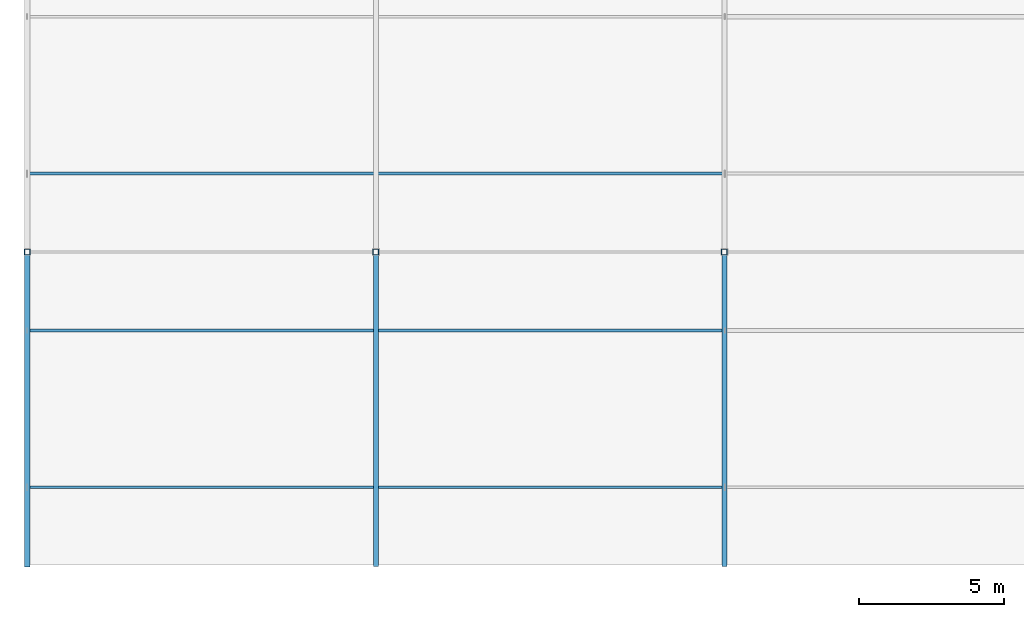
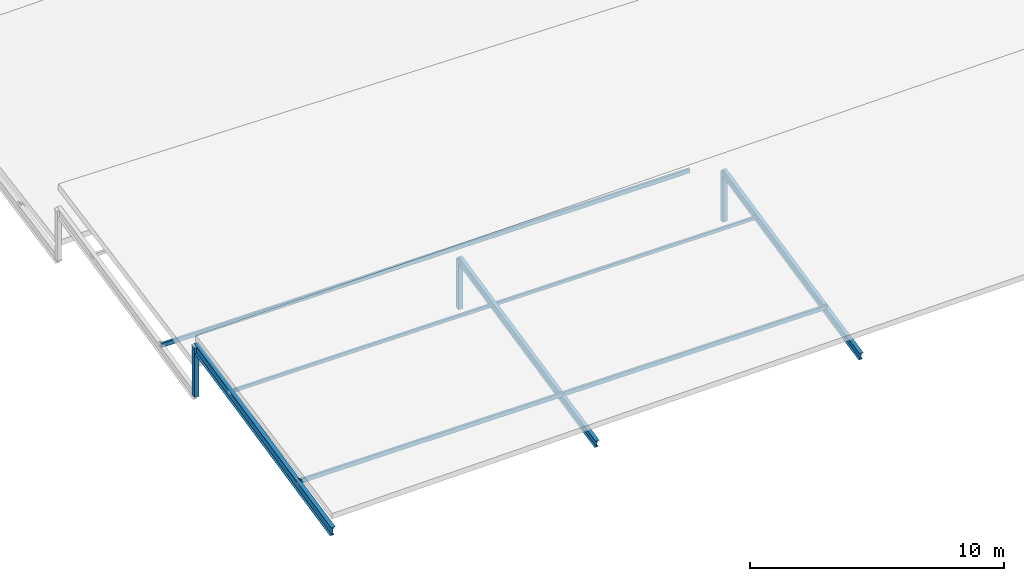
# One storey, part 62 of 226: 9 members.
"""IFC4 building model written with IfcOpenShell, lengths in metres."""

import ifcopenshell
import ifcopenshell.guid

model = None  # the IFC model being written
_history = None  # IfcOwnerHistory: only IFC2X3 demands one
_inside = {}  # id of a spatial element -> (the spatial element, [elements in it])
_under = {}  # id of a project, library or spatial element -> (it, [spatial elements below it])
_declared = {}  # id of a project -> (the project, [libraries it declares])
_typed = {}  # id of a type object -> (the type object, [elements of that type])
_made_of = {}  # id of a material, layer set ... -> (it, [elements and type objects made of it])


def new_model(schema):
    """Start an empty IFC model of exactly this schema.

    Asked for "IFC4X3", IfcOpenShell would pick the latest addendum, in which some entities
    have other attributes; the version numbers below select the first issue.
    IFC2X3 requires an IfcOwnerHistory on every rooted entity: one is made here for all.
    """
    global model, _history
    if schema == "IFC4X3":
        model = ifcopenshell.file(schema_version=(4, 3, 0, 0))
    else:
        model = ifcopenshell.file(schema=schema)
    _inside.clear()
    _under.clear()
    _declared.clear()
    _typed.clear()
    _made_of.clear()
    _history = None
    if model.schema == "IFC2X3":
        org = make("IfcOrganization", Name="unknown")
        user = make(
            "IfcPersonAndOrganization",
            ThePerson=make("IfcPerson", FamilyName="unknown"),
            TheOrganization=org,
        )
        app = make(
            "IfcApplication",
            ApplicationDeveloper=org,
            Version="unknown",
            ApplicationFullName="unknown",
            ApplicationIdentifier="unknown",
        )
        _history = make(
            "IfcOwnerHistory",
            OwningUser=user,
            OwningApplication=app,
            ChangeAction="ADDED",
            CreationDate=0,
        )
    return model


def make(cls, **values):
    """One entity of the class cls with the attributes given. An attribute that is None is left unset."""
    return model.create_entity(
        cls, **{name: value for name, value in values.items() if value is not None}
    )


def rooted(cls, **values):
    """An entity with a GlobalId (a new one), such as an element, a storey or a relation."""
    return make(cls, GlobalId=ifcopenshell.guid.new(), OwnerHistory=_history, **values)


def si_unit(unit_type, name, prefix=None):
    """IfcSIUnit, for example si_unit("LENGTHUNIT", "METRE", prefix="MILLI")."""
    return make("IfcSIUnit", UnitType=unit_type, Prefix=prefix, Name=name)


def assignment(units):
    """IfcUnitAssignment: the units of a project."""
    return None if units is None else make("IfcUnitAssignment", Units=units)


def point(xyz):
    """IfcCartesianPoint."""
    return None if xyz is None else make("IfcCartesianPoint", Coordinates=xyz)


def direction(xyz):
    """IfcDirection."""
    return None if xyz is None else make("IfcDirection", DirectionRatios=xyz)


def frame(location, z_axis=None, x_axis=None):
    """IfcAxis2Placement3D, a coordinate frame: its origin and axes. An axis left out is left unset."""
    return make(
        "IfcAxis2Placement3D",
        Location=point(location),
        Axis=direction(z_axis),
        RefDirection=direction(x_axis),
    )


def frame_2d(location, x_axis=None):
    """IfcAxis2Placement2D, a coordinate frame in the plane: its origin and x axis."""
    return make(
        "IfcAxis2Placement2D", Location=point(location), RefDirection=direction(x_axis)
    )


def origin():
    """The frame at (0, 0, 0) with its axes left unset."""
    return frame((0.0, 0.0, 0.0))


def origin_2d():
    """The frame at (0, 0) in the plane with its x axis left unset."""
    return frame_2d((0.0, 0.0))


def place(relative_to, where):
    """IfcLocalPlacement: puts the frame where relative to a parent placement (None: the world)."""
    return make(
        "IfcLocalPlacement", PlacementRelTo=relative_to, RelativePlacement=where
    )


def context(
    kind, dimensions, precision=None, world=None, true_north=None, identifier=None
):
    """IfcGeometricRepresentationContext, for example the 3D "Model" context."""
    return make(
        "IfcGeometricRepresentationContext",
        ContextIdentifier=identifier,
        ContextType=kind,
        CoordinateSpaceDimension=dimensions,
        Precision=precision,
        WorldCoordinateSystem=world,
        TrueNorth=true_north,
    )


def subcontext(parent, identifier, kind, view, scale=None):
    """IfcGeometricRepresentationSubContext, for example "Body" below "Model"."""
    return make(
        "IfcGeometricRepresentationSubContext",
        ContextIdentifier=identifier,
        ContextType=kind,
        ParentContext=parent,
        TargetScale=scale,
        TargetView=view,
    )


def project(units=None, contexts=None):
    """IfcProject with its units and contexts."""
    return rooted(
        "IfcProject",
        Name="project",
        RepresentationContexts=contexts,
        UnitsInContext=assignment(units),
    )


def spatial(cls, under=None, at=None, **own):
    """A site, building, storey or space (cls), placed at a placement, below another one or the project."""
    s = rooted(cls, ObjectPlacement=at, **own)
    if under is not None:
        _under.setdefault(under.id(), (under, []))[1].append(s)
    return s


def profile(cls, at=None, kind="AREA", **sizes):
    """A parametric profile (cls). Its sizes go by their IFC names, for example OverallWidth=200.0."""
    return make(cls, ProfileType=kind, Position=at, **sizes)


def hollow_rectangle(**sizes):
    """IfcRectangleHollowProfileDef."""
    return profile("IfcRectangleHollowProfileDef", **sizes)


def i_section(**sizes):
    """IfcIShapeProfileDef."""
    return profile("IfcIShapeProfileDef", **sizes)


def extrude(swept, where, along, depth):
    """IfcExtrudedAreaSolid: the profile swept, set in the frame where, extruded along a direction by depth."""
    return make(
        "IfcExtrudedAreaSolid",
        SweptArea=swept,
        Position=where,
        ExtrudedDirection=direction(along),
        Depth=depth,
    )


def shape(context_of_items, identifier, shape_type, items):
    """IfcShapeRepresentation: the items that make up one representation, for example the "Body"."""
    return make(
        "IfcShapeRepresentation",
        ContextOfItems=context_of_items,
        RepresentationIdentifier=identifier,
        RepresentationType=shape_type,
        Items=items,
    )


def material(Name=None, Category=None):
    """IfcMaterial."""
    return make("IfcMaterial", Name=Name, Category=Category)


def material_profile(
    of_material, cross_section, Name=None, Category=None, Priority=None
):
    """IfcMaterialProfile: a cross section and its material."""
    return make(
        "IfcMaterialProfile",
        Name=Name,
        Material=of_material,
        Profile=cross_section,
        Priority=Priority,
        Category=Category,
    )


def profile_set(profiles, Name=None, composite=None):
    """IfcMaterialProfileSet."""
    return make(
        "IfcMaterialProfileSet",
        Name=Name,
        MaterialProfiles=profiles,
        CompositeProfile=composite,
    )


def made_of(thing, what):
    """Note that an element or type object is made of a material, layer set ...; save() writes the relation."""
    if what is not None:
        _made_of.setdefault(what.id(), (what, []))[1].append(thing)
    return thing


def type_object(cls, material=None, **own):
    """A type object (cls), such as IfcWallType, which elements share."""
    return made_of(rooted(cls, **own), material)


def element(
    cls,
    number,
    at=None,
    inside=None,
    cuts=None,
    type_object=None,
    material=None,
    context=None,
    identifier="Body",
    shape_type=None,
    held_by="IfcProductDefinitionShape",
    body=None,
    shapes=None,
    **own,
):
    """One element of the class cls, such as IfcWall. Its Tag is "e" and its number.

    at: its placement. inside: the storey or other place that contains it. cuts: it is an
    opening in that element (IfcRelVoidsElement). A single representation is given by context,
    identifier, shape_type and body (its items); several are given by shapes. held_by: the class
    of the entity that holds the representations. save() writes the other relations.
    """
    e = rooted(cls, Tag="e%d" % number, ObjectPlacement=at, **own)
    if body is not None:
        shapes = [shape(context, identifier, shape_type, body)]
    if shapes is not None:
        e.Representation = make(held_by, Representations=shapes)
    if inside is not None:
        _inside.setdefault(inside.id(), (inside, []))[1].append(e)
    if cuts is not None:
        rooted(
            "IfcRelVoidsElement", RelatingBuildingElement=cuts, RelatedOpeningElement=e
        )
    if type_object is not None:
        _typed.setdefault(type_object.id(), (type_object, []))[1].append(e)
    return made_of(e, material)


def aggregate(whole, parts):
    """IfcRelAggregates: a whole, such as a stair, and the parts it consists of."""
    return rooted("IfcRelAggregates", RelatingObject=whole, RelatedObjects=parts)


def save(model, path):
    """Write the relations noted so far, then the file.

    IfcRelAggregates (storeys below a building ...), IfcRelContainedInSpatialStructure (elements
    in a storey), IfcRelDefinesByType, IfcRelAssociatesMaterial and IfcRelDeclares: one each for
    every whole, place, type object, material and project.
    """
    for whole, parts in _under.values():
        aggregate(whole, parts)
    for where, things in _inside.values():
        rooted(
            "IfcRelContainedInSpatialStructure",
            RelatedElements=things,
            RelatingStructure=where,
        )
    for kind, things in _typed.values():
        rooted("IfcRelDefinesByType", RelatedObjects=things, RelatingType=kind)
    for what, things in _made_of.values():
        rooted("IfcRelAssociatesMaterial", RelatedObjects=things, RelatingMaterial=what)
    for by, libraries in _declared.values():
        rooted("IfcRelDeclares", RelatingContext=by, RelatedDefinitions=libraries)
    model.write(path)


model = new_model("IFC4")

# Units and contexts
model_context = context("Model", 3, precision=1e-05, world=origin(), true_north=direction((0.0, 1.0)))
body_context = subcontext(model_context, "Body", "Model", "MODEL_VIEW")
ifc_project = project(units=[si_unit("LENGTHUNIT", "METRE"), si_unit("AREAUNIT", "SQUARE_METRE"), si_unit("VOLUMEUNIT", "CUBIC_METRE"), si_unit("PLANEANGLEUNIT", "RADIAN"), si_unit("MASSUNIT", "GRAM", prefix="KILO")], contexts=[model_context])

# Site, building, storey
site_placement = place(None, origin())
site = spatial("IfcSite", under=ifc_project, at=site_placement, CompositionType="ELEMENT")
building_placement = place(site_placement, origin())
building = spatial("IfcBuilding", under=site, at=building_placement, Name="Tarnwether General Hospital", CompositionType="ELEMENT")
storey_placement = place(building_placement, frame((0.0, 0.0, 4.800048828125)))
storey = spatial("IfcBuildingStorey", under=building, at=storey_placement, Name="L01", CompositionType="ELEMENT", Elevation=4.800048828125)

# Members
ifc_material_1 = material(Name="Steel Grade C350L0 (350 MPa)", Category="steel")
ifc_material_profile_1 = material_profile(ifc_material_1, hollow_rectangle(XDim=0.199951171875, YDim=0.199951171875, WallThickness=0.010009765625, at=origin_2d()), Name="SHS200x200x10")
ifc_profile_set_1 = profile_set([ifc_material_profile_1], Name="Steel Grade C350L0 (350 MPa)")
member_type_1 = type_object("IfcMemberType", Name="MB-BR8", PredefinedType="BRACE", material=ifc_profile_set_1)
for number, where, z_axis, x_axis, name in (
    (1, (0.0, 10.800048828125, -0.380126953125), (0.0, 0.0, 1.0), (1.0, 0.0, 0.0), "Emergency Sawtooth Web Strut 027"),
    (2, (12.0, 10.800048828125, -0.380126953125), (0.0, 0.0, 1.0), (1.0, 0.0, 0.0), "Emergency Sawtooth Web Strut 028"),
    (3, (24.0, 10.800048828125, -0.380126953125), (0.0, 0.0, 1.0), (1.0, 0.0, 0.0), "Emergency Sawtooth Web Strut 029"),
):
    element("IfcMember", number, at=place(storey_placement, frame(where, z_axis=z_axis, x_axis=x_axis)), inside=storey, type_object=member_type_1, Name=name, PredefinedType="BRACE", context=body_context, shape_type="SweptSolid", body=[
        extrude(hollow_rectangle(XDim=0.199951171875, YDim=0.199951171875, WallThickness=0.010009765625, at=origin_2d()), origin(), (0.0, 0.0, 1.0), 2.380126953125),
    ])
ifc_material_2 = material(Name="Steel Grade C350L0 (350 MPa)", Category="steel")
ifc_material_profile_2 = material_profile(ifc_material_2, hollow_rectangle(XDim=0.10009765625, YDim=0.199951171875, WallThickness=0.008056640625, at=origin_2d()), Name="RHS200x100x8")
ifc_profile_set_2 = profile_set([ifc_material_profile_2], Name="Steel Grade C350L0 (350 MPa)")
member_type_2 = type_object("IfcMemberType", Name="MB-PR3", PredefinedType="PURLIN", material=ifc_profile_set_2)
for number, where, z_axis, x_axis, name in (
    (4, (0.0, 2.699951171875, 0.39990234375), (1.0, 0.0, 0.0), (0.0, 1.0, 0.0), "Emergency Sawtooth Purlin 032"),
    (5, (0.0, 13.5, 0.39990234375), (1.0, 0.0, 0.0), (0.0, 1.0, 0.0), "Emergency Sawtooth Purlin 041"),
):
    element("IfcMember", number, at=place(storey_placement, frame(where, z_axis=z_axis, x_axis=x_axis)), inside=storey, type_object=member_type_2, Name=name, PredefinedType="PURLIN", context=body_context, shape_type="SweptSolid", body=[
        extrude(hollow_rectangle(XDim=0.10009765625, YDim=0.199951171875, WallThickness=0.008056640625, at=origin_2d()), origin(), (0.0, 0.0, 1.0), 24.0),
    ])
ifc_material_3 = material(Name="Steel Grade C350L0 (350 MPa)", Category="steel")
ifc_material_profile_3 = material_profile(ifc_material_3, hollow_rectangle(XDim=0.10009765625, YDim=0.14990234375, WallThickness=0.006103515625, at=origin_2d()), Name="RHS150x100x6")
ifc_profile_set_3 = profile_set([ifc_material_profile_3], Name="Steel Grade C350L0 (350 MPa)")
member_type_3 = type_object("IfcMemberType", Name="MB-PR5", PredefinedType="PURLIN", material=ifc_profile_set_3)
member_1_placement = place(storey_placement, frame((0.0, 8.10009765625, 1.43994140625), z_axis=(1.0, 0.0, 0.0), x_axis=(0.0, 1.0, 0.0)))
element("IfcMember", 6, at=member_1_placement, inside=storey, type_object=member_type_3, Name="Emergency Sawtooth Purlin 034", PredefinedType="PURLIN", context=body_context, shape_type="SweptSolid", body=[
    extrude(hollow_rectangle(XDim=0.10009765625, YDim=0.14990234375, WallThickness=0.006103515625, at=origin_2d()), origin(), (0.0, 0.0, 1.0), 24.0),
])
ifc_material_4 = material(Name="Steel Grade 350 (350 MPa)", Category="steel")
ifc_material_profile_4 = material_profile(ifc_material_4, i_section(OverallWidth=0.18994140625, OverallDepth=0.4541015625, WebThickness=0.008544921875, FlangeThickness=0.0126953125, at=origin_2d()), Name="460UB67.1")
ifc_profile_set_4 = profile_set([ifc_material_profile_4], Name="Steel Grade 350 (350 MPa)")
member_type_4 = type_object("IfcMemberType", Name="MB-RF3", PredefinedType="RAFTER", material=ifc_profile_set_4)
member_2_placement = place(storey_placement, frame((0.0, 0.0, -0.360107421875), z_axis=(0.0, 0.977695229902, 0.210028658584), x_axis=(-1.0, 0.0, 0.0)))
element("IfcMember", 7, at=member_2_placement, inside=storey, type_object=member_type_4, Name="Emergency Sawtooth Rafter 027", PredefinedType="RAFTER", context=body_context, shape_type="SweptSolid", body=[
    extrude(i_section(OverallWidth=0.18994140625, OverallDepth=0.4541015625, WebThickness=0.008544921875, FlangeThickness=0.0126953125, at=origin_2d()), origin(), (0.0, 0.0, 1.0), 11.04638671875),
])
ifc_material_5 = material(Name="Steel Grade 350 (350 MPa)", Category="steel")
ifc_material_profile_5 = material_profile(ifc_material_5, i_section(OverallWidth=0.1708984375, OverallDepth=0.35595703125, WebThickness=0.00732421875, FlangeThickness=0.011474609375, at=origin_2d()), Name="360UB50.7")
ifc_profile_set_5 = profile_set([ifc_material_profile_5], Name="Steel Grade 350 (350 MPa)")
member_type_5 = type_object("IfcMemberType", Name="MB-RF4", PredefinedType="RAFTER", material=ifc_profile_set_5)
for number, where, z_axis, x_axis, name in (
    (8, (12.0, 0.0, -0.360107421875), (0.0, 0.977695229902, 0.210028658584), (-1.0, 0.0, 0.0), "Emergency Sawtooth Rafter 028"),
    (9, (24.0, 0.0, -0.360107421875), (0.0, 0.977695229902, 0.210028658584), (-1.0, 0.0, 0.0), "Emergency Sawtooth Rafter 029"),
):
    element("IfcMember", number, at=place(storey_placement, frame(where, z_axis=z_axis, x_axis=x_axis)), inside=storey, type_object=member_type_5, Name=name, PredefinedType="RAFTER", context=body_context, shape_type="SweptSolid", body=[
        extrude(i_section(OverallWidth=0.1708984375, OverallDepth=0.35595703125, WebThickness=0.00732421875, FlangeThickness=0.011474609375, at=origin_2d()), origin(), (0.0, 0.0, 1.0), 11.04638671875),
    ])

save(model, "model.ifc")
